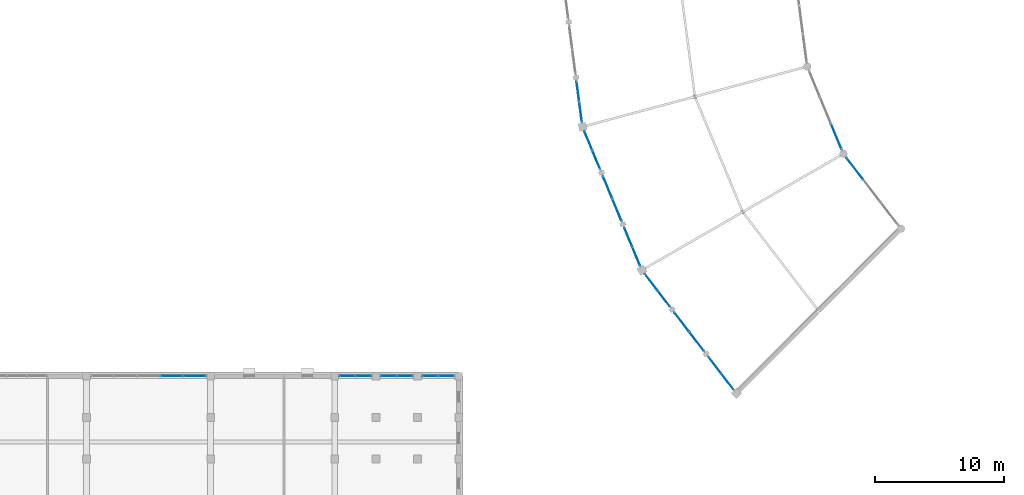
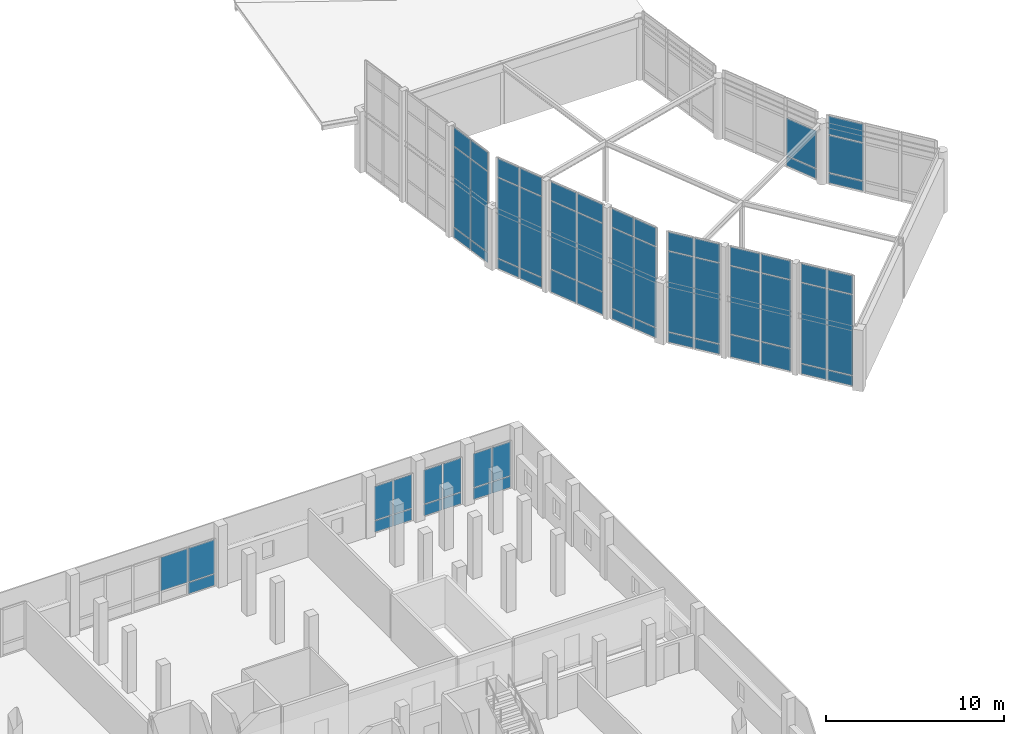
# One storey, part 68 of 93: 62 plates, 13 elements without a shape of their own.
"""IFC4 building model written with IfcOpenShell, lengths in metres."""

from ifc_helpers import new_model, si_unit, direction, frame, origin, origin_2d, place, context, subcontext, project, spatial, rectangle, extrude, material, layer, layer_set, type_object, element, aggregate, save


model = new_model("IFC4")

# Units and contexts
model_context = context("Model", 3, precision=1e-05, world=origin(), true_north=direction((0.0, 1.0)))
body_context = subcontext(model_context, "Body", "Model", "MODEL_VIEW")
ifc_project = project(units=[si_unit("LENGTHUNIT", "METRE"), si_unit("AREAUNIT", "SQUARE_METRE"), si_unit("VOLUMEUNIT", "CUBIC_METRE"), si_unit("PLANEANGLEUNIT", "RADIAN"), si_unit("MASSUNIT", "GRAM", prefix="KILO")], contexts=[model_context])

# Site, building, storey
site_placement = place(None, origin())
site = spatial("IfcSite", under=ifc_project, at=site_placement, CompositionType="ELEMENT")
building_placement = place(site_placement, origin())
building = spatial("IfcBuilding", under=site, at=building_placement, Name="Vondelvale Polytechnic", CompositionType="ELEMENT")
storey_placement = place(building_placement, frame((0.0, 0.0, 18.0)))
storey = spatial("IfcBuildingStorey", under=building, at=storey_placement, Name="L04", CompositionType="ELEMENT", Elevation=18.0)

# Curtain wall, plates
ifc_material_1 = material(Name="Anodised extruded aluminium 6063-T6", Category="aluminium")
curtain_wall_type_1 = type_object("IfcCurtainWallType", Name="CW-STUDIO-NORTH", PredefinedType="NOTDEFINED", material=ifc_material_1)
curtain_wall_1_placement = place(storey_placement, origin())
curtain_wall_1 = element("IfcCurtainWall", 1, at=curtain_wall_1_placement, inside=storey, type_object=curtain_wall_type_1, Name="L04 architectural curtain wall CW-01-039", PredefinedType="NOTDEFINED")
ifc_material_2 = material(Name="Double-glazed low-E insulated architectural glass", Category="glass")
ifc_layer_1 = layer(ifc_material_2, 0.028076171875)
ifc_layer_set_1 = layer_set([ifc_layer_1], Name="CW-PANEL-GLAZED")
plate_type_1 = type_object("IfcPlateType", Name="CW-PANEL-GLAZED", PredefinedType="CURTAIN_PANEL", material=ifc_layer_set_1)
plate_1_placement = place(storey_placement, frame((25.7880859375, 40.800048828125, 0.8798828125), z_axis=(0.0, 0.0, 1.0), x_axis=(1.0, 0.0, 0.0)))
plate_1 = element("IfcPlate", 2, at=plate_1_placement, type_object=plate_type_1, Name="CW-01-039 panel 4.2", PredefinedType="CURTAIN_PANEL", context=body_context, shape_type="SweptSolid", body=[
    extrude(rectangle(XDim=1.722900390625, YDim=0.028076171875, at=origin_2d()), origin(), (0.0, 0.0, 1.0), 2.31005859375),
])
plate_2_placement = place(storey_placement, frame((27.559814453125, 40.800048828125, 0.8798828125), z_axis=(0.0, 0.0, 1.0), x_axis=(1.0, 0.0, 0.0)))
plate_2 = element("IfcPlate", 3, at=plate_2_placement, type_object=plate_type_1, Name="CW-01-039 panel 5.2", PredefinedType="CURTAIN_PANEL", context=body_context, shape_type="SweptSolid", body=[
    extrude(rectangle(XDim=1.6904296875, YDim=0.028076171875, at=origin_2d()), origin(), (0.0, 0.0, 1.0), 2.31005859375),
])

curtain_wall_2_placement = place(storey_placement, origin())
curtain_wall_2 = element("IfcCurtainWall", 4, at=curtain_wall_2_placement, inside=storey, type_object=curtain_wall_type_1, Name="L04 architectural curtain wall CW-01-040", PredefinedType="NOTDEFINED")
plate_3_placement = place(storey_placement, frame((39.38134765625, 40.800048828125, 0.8798828125), z_axis=(0.0, 0.0, 1.0), x_axis=(1.0, 0.0, 0.0)))
plate_3 = element("IfcPlate", 5, at=plate_3_placement, type_object=plate_type_1, Name="CW-01-040 panel 1.2", PredefinedType="CURTAIN_PANEL", context=body_context, shape_type="SweptSolid", body=[
    extrude(rectangle(XDim=1.172607421875, YDim=0.028076171875, at=origin_2d()), origin(), (0.0, 0.0, 1.0), 2.31005859375),
])
plate_4_placement = place(storey_placement, frame((40.61865234375, 40.800048828125, 0.8798828125), z_axis=(0.0, 0.0, 1.0), x_axis=(1.0, 0.0, 0.0)))
plate_4 = element("IfcPlate", 6, at=plate_4_placement, type_object=plate_type_1, Name="CW-01-040 panel 2.2", PredefinedType="CURTAIN_PANEL", context=body_context, shape_type="SweptSolid", body=[
    extrude(rectangle(XDim=1.172607421875, YDim=0.028076171875, at=origin_2d()), origin(), (0.0, 0.0, 1.0), 2.31005859375),
])

curtain_wall_3_placement = place(storey_placement, origin())
curtain_wall_3 = element("IfcCurtainWall", 7, at=curtain_wall_3_placement, inside=storey, type_object=curtain_wall_type_1, Name="L04 architectural curtain wall CW-01-041", PredefinedType="NOTDEFINED")
plate_5_placement = place(storey_placement, frame((42.581298828125, 40.800048828125, 0.8798828125), z_axis=(0.0, 0.0, 1.0), x_axis=(1.0, 0.0, 0.0)))
plate_5 = element("IfcPlate", 8, at=plate_5_placement, type_object=plate_type_1, Name="CW-01-041 panel 1.2", PredefinedType="CURTAIN_PANEL", context=body_context, shape_type="SweptSolid", body=[
    extrude(rectangle(XDim=1.172607421875, YDim=0.028076171875, at=origin_2d()), origin(), (0.0, 0.0, 1.0), 2.31005859375),
])
plate_6_placement = place(storey_placement, frame((43.81884765625, 40.800048828125, 0.8798828125), z_axis=(0.0, 0.0, 1.0), x_axis=(1.0, 0.0, 0.0)))
plate_6 = element("IfcPlate", 9, at=plate_6_placement, type_object=plate_type_1, Name="CW-01-041 panel 2.2", PredefinedType="CURTAIN_PANEL", context=body_context, shape_type="SweptSolid", body=[
    extrude(rectangle(XDim=1.172607421875, YDim=0.028076171875, at=origin_2d()), origin(), (0.0, 0.0, 1.0), 2.31005859375),
])

curtain_wall_4_placement = place(storey_placement, origin())
curtain_wall_4 = element("IfcCurtainWall", 10, at=curtain_wall_4_placement, inside=storey, type_object=curtain_wall_type_1, Name="L04 architectural curtain wall CW-01-042", PredefinedType="NOTDEFINED")
plate_7_placement = place(storey_placement, frame((45.78125, 40.800048828125, 0.8798828125), z_axis=(0.0, 0.0, 1.0), x_axis=(1.0, 0.0, 0.0)))
plate_7 = element("IfcPlate", 11, at=plate_7_placement, type_object=plate_type_1, Name="CW-01-042 panel 1.2", PredefinedType="CURTAIN_PANEL", context=body_context, shape_type="SweptSolid", body=[
    extrude(rectangle(XDim=1.172607421875, YDim=0.028076171875, at=origin_2d()), origin(), (0.0, 0.0, 1.0), 2.31005859375),
])
plate_8_placement = place(storey_placement, frame((47.018798828125, 40.800048828125, 0.8798828125), z_axis=(0.0, 0.0, 1.0), x_axis=(1.0, 0.0, 0.0)))
plate_8 = element("IfcPlate", 12, at=plate_8_placement, type_object=plate_type_1, Name="CW-01-042 panel 2.2", PredefinedType="CURTAIN_PANEL", context=body_context, shape_type="SweptSolid", body=[
    extrude(rectangle(XDim=1.172607421875, YDim=0.028076171875, at=origin_2d()), origin(), (0.0, 0.0, 1.0), 2.31005859375),
])

ifc_material_3 = material(Name="Glulam GL18 structural Tasmanian oak (fb = 42 MPa)", Category="wood")
curtain_wall_type_2 = type_object("IfcCurtainWallType", Name="CW-RING-OUTER", PredefinedType="NOTDEFINED", material=ifc_material_3)
curtain_wall_5_placement = place(storey_placement, origin())
curtain_wall_5 = element("IfcCurtainWall", 13, at=curtain_wall_5_placement, inside=storey, type_object=curtain_wall_type_2, Name="L04 architectural curtain wall CW-04-274", PredefinedType="NOTDEFINED")
plate_9_placement = place(storey_placement, frame((57.20751953125, 62.828369140625, 0.780029296875), z_axis=(0.0, 0.0, 1.0), x_axis=(0.130539547729, -0.991443102996, 0.0)))
plate_9 = element("IfcPlate", 14, at=plate_9_placement, type_object=plate_type_1, Name="CW-04-274 panel 1.2", PredefinedType="CURTAIN_PANEL", context=body_context, shape_type="SweptSolid", body=[
    extrude(rectangle(XDim=1.530029296875, YDim=0.028076171875, at=origin_2d()), origin(), (0.0, 0.0, 1.0), 5.50146484375),
])
plate_10_placement = place(storey_placement, frame((57.20751953125, 62.828369140625, 6.34130859375), z_axis=(0.0, 0.0, 1.0), x_axis=(0.130539547729, -0.991443102996, 0.0)))
plate_10 = element("IfcPlate", 15, at=plate_10_placement, type_object=plate_type_1, Name="CW-04-274 panel 1.3", PredefinedType="CURTAIN_PANEL", context=body_context, shape_type="SweptSolid", body=[
    extrude(rectangle(XDim=1.530029296875, YDim=0.028076171875, at=origin_2d()), origin(), (0.0, 0.0, 1.0), 1.260009765625),
])
plate_11_placement = place(storey_placement, frame((57.415771484375, 61.2470703125, 0.780029296875), z_axis=(0.0, 0.0, 1.0), x_axis=(0.130539547729, -0.991443102996, 0.0)))
plate_11 = element("IfcPlate", 16, at=plate_11_placement, type_object=plate_type_1, Name="CW-04-274 panel 2.2", PredefinedType="CURTAIN_PANEL", context=body_context, shape_type="SweptSolid", body=[
    extrude(rectangle(XDim=1.530029296875, YDim=0.028076171875, at=origin_2d()), origin(), (0.0, 0.0, 1.0), 5.50146484375),
])
plate_12_placement = place(storey_placement, frame((57.415771484375, 61.2470703125, 6.34130859375), z_axis=(0.0, 0.0, 1.0), x_axis=(0.130539547729, -0.991443102996, 0.0)))
plate_12 = element("IfcPlate", 17, at=plate_12_placement, type_object=plate_type_1, Name="CW-04-274 panel 2.3", PredefinedType="CURTAIN_PANEL", context=body_context, shape_type="SweptSolid", body=[
    extrude(rectangle(XDim=1.530029296875, YDim=0.028076171875, at=origin_2d()), origin(), (0.0, 0.0, 1.0), 1.260009765625),
])

# Curtain wall, plate
curtain_wall_type_3 = type_object("IfcCurtainWallType", Name="CW-RING-CLOISTER", PredefinedType="NOTDEFINED", material=ifc_material_1)
curtain_wall_6_placement = place(storey_placement, origin())
curtain_wall_6 = element("IfcCurtainWall", 18, at=curtain_wall_6_placement, inside=storey, type_object=curtain_wall_type_3, Name="L04 architectural curtain wall CW-03-291", PredefinedType="NOTDEFINED")
plate_13_placement = place(storey_placement, frame((77.194091796875, 59.344970703125, 0.78271484375), z_axis=(0.0, 0.0, 1.0), x_axis=(0.382678531697, -0.923881562419, 0.0)))
plate_13 = element("IfcPlate", 19, at=plate_13_placement, type_object=plate_type_1, Name="CW-03-291 panel 3.2", PredefinedType="CURTAIN_PANEL", context=body_context, shape_type="SweptSolid", body=[
    extrude(rectangle(XDim=2.111572265625, YDim=0.028076171875, at=origin_2d()), origin(), (0.0, 0.0, 1.0), 2.548095703125),
])

# Curtain wall, plates
curtain_wall_7_placement = place(storey_placement, origin())
curtain_wall_7 = element("IfcCurtainWall", 20, at=curtain_wall_7_placement, inside=storey, type_object=curtain_wall_type_2, Name="L04 architectural curtain wall CW-04-292", PredefinedType="NOTDEFINED")
plate_14_placement = place(storey_placement, frame((58.01220703125, 59.02001953125, 0.780029296875), z_axis=(0.0, 0.0, 1.0), x_axis=(0.382677394529, -0.923882033442, 0.0)))
plate_14 = element("IfcPlate", 21, at=plate_14_placement, type_object=plate_type_1, Name="CW-04-292 panel 1.2", PredefinedType="CURTAIN_PANEL", context=body_context, shape_type="SweptSolid", body=[
    extrude(rectangle(XDim=1.530029296875, YDim=0.028076171875, at=origin_2d()), origin(), (0.0, 0.0, 1.0), 5.50146484375),
])
plate_15_placement = place(storey_placement, frame((58.01220703125, 59.02001953125, 6.34130859375), z_axis=(0.0, 0.0, 1.0), x_axis=(0.382677394529, -0.923882033442, 0.0)))
plate_15 = element("IfcPlate", 22, at=plate_15_placement, type_object=plate_type_1, Name="CW-04-292 panel 1.3", PredefinedType="CURTAIN_PANEL", context=body_context, shape_type="SweptSolid", body=[
    extrude(rectangle(XDim=1.530029296875, YDim=0.028076171875, at=origin_2d()), origin(), (0.0, 0.0, 1.0), 1.260009765625),
])
plate_16_placement = place(storey_placement, frame((58.622802734375, 57.546630859375, 0.780029296875), z_axis=(0.0, 0.0, 1.0), x_axis=(0.382677394529, -0.923882033442, 0.0)))
plate_16 = element("IfcPlate", 23, at=plate_16_placement, type_object=plate_type_1, Name="CW-04-292 panel 2.2", PredefinedType="CURTAIN_PANEL", context=body_context, shape_type="SweptSolid", body=[
    extrude(rectangle(XDim=1.530029296875, YDim=0.028076171875, at=origin_2d()), origin(), (0.0, 0.0, 1.0), 5.50146484375),
])
plate_17_placement = place(storey_placement, frame((58.622802734375, 57.546630859375, 6.34130859375), z_axis=(0.0, 0.0, 1.0), x_axis=(0.382677394529, -0.923882033442, 0.0)))
plate_17 = element("IfcPlate", 24, at=plate_17_placement, type_object=plate_type_1, Name="CW-04-292 panel 2.3", PredefinedType="CURTAIN_PANEL", context=body_context, shape_type="SweptSolid", body=[
    extrude(rectangle(XDim=1.530029296875, YDim=0.028076171875, at=origin_2d()), origin(), (0.0, 0.0, 1.0), 1.260009765625),
])

curtain_wall_8_placement = place(storey_placement, origin())
curtain_wall_8 = element("IfcCurtainWall", 25, at=curtain_wall_8_placement, inside=storey, type_object=curtain_wall_type_2, Name="L04 architectural curtain wall CW-04-293", PredefinedType="NOTDEFINED")
plate_18_placement = place(storey_placement, frame((59.506591796875, 55.412841796875, 1.630126953125), z_axis=(0.0, 0.0, 1.0), x_axis=(0.382694599123, -0.92387490701, 0.0)))
plate_18 = element("IfcPlate", 26, at=plate_18_placement, type_object=plate_type_1, Name="CW-04-293 panel 1.2", PredefinedType="CURTAIN_PANEL", context=body_context, shape_type="SweptSolid", body=[
    extrude(rectangle(XDim=1.80908203125, YDim=0.028076171875, at=origin_2d()), origin(), (0.0, 0.0, 1.0), 4.6513671875),
])
plate_19_placement = place(storey_placement, frame((59.506591796875, 55.412841796875, 6.34130859375), z_axis=(0.0, 0.0, 1.0), x_axis=(0.382694599123, -0.92387490701, 0.0)))
plate_19 = element("IfcPlate", 27, at=plate_19_placement, type_object=plate_type_1, Name="CW-04-293 panel 1.3", PredefinedType="CURTAIN_PANEL", context=body_context, shape_type="SweptSolid", body=[
    extrude(rectangle(XDim=1.80908203125, YDim=0.028076171875, at=origin_2d()), origin(), (0.0, 0.0, 1.0), 1.260009765625),
])
plate_20_placement = place(storey_placement, frame((60.2236328125, 53.681396484375, 1.630126953125), z_axis=(0.0, 0.0, 1.0), x_axis=(0.382694599123, -0.92387490701, 0.0)))
plate_20 = element("IfcPlate", 28, at=plate_20_placement, type_object=plate_type_1, Name="CW-04-293 panel 2.2", PredefinedType="CURTAIN_PANEL", context=body_context, shape_type="SweptSolid", body=[
    extrude(rectangle(XDim=1.80908203125, YDim=0.028076171875, at=origin_2d()), origin(), (0.0, 0.0, 1.0), 4.6513671875),
])
plate_21_placement = place(storey_placement, frame((60.2236328125, 53.681396484375, 6.34130859375), z_axis=(0.0, 0.0, 1.0), x_axis=(0.382694599123, -0.92387490701, 0.0)))
plate_21 = element("IfcPlate", 29, at=plate_21_placement, type_object=plate_type_1, Name="CW-04-293 panel 2.3", PredefinedType="CURTAIN_PANEL", context=body_context, shape_type="SweptSolid", body=[
    extrude(rectangle(XDim=1.80908203125, YDim=0.028076171875, at=origin_2d()), origin(), (0.0, 0.0, 1.0), 1.260009765625),
])

curtain_wall_9_placement = place(storey_placement, origin())
curtain_wall_9 = element("IfcCurtainWall", 30, at=curtain_wall_9_placement, inside=storey, type_object=curtain_wall_type_2, Name="L04 architectural curtain wall CW-04-294", PredefinedType="NOTDEFINED")
plate_22_placement = place(storey_placement, frame((61.107421875, 51.5478515625, 0.780029296875), z_axis=(0.0, 0.0, 1.0), x_axis=(0.382677394529, -0.923882033442, 0.0)))
plate_22 = element("IfcPlate", 31, at=plate_22_placement, type_object=plate_type_1, Name="CW-04-294 panel 1.2", PredefinedType="CURTAIN_PANEL", context=body_context, shape_type="SweptSolid", body=[
    extrude(rectangle(XDim=1.530029296875, YDim=0.028076171875, at=origin_2d()), origin(), (0.0, 0.0, 1.0), 5.50146484375),
])
plate_23_placement = place(storey_placement, frame((61.107421875, 51.5478515625, 6.34130859375), z_axis=(0.0, 0.0, 1.0), x_axis=(0.382677394529, -0.923882033442, 0.0)))
plate_23 = element("IfcPlate", 32, at=plate_23_placement, type_object=plate_type_1, Name="CW-04-294 panel 1.3", PredefinedType="CURTAIN_PANEL", context=body_context, shape_type="SweptSolid", body=[
    extrude(rectangle(XDim=1.530029296875, YDim=0.028076171875, at=origin_2d()), origin(), (0.0, 0.0, 1.0), 1.260009765625),
])
plate_24_placement = place(storey_placement, frame((61.7177734375, 50.07421875, 0.780029296875), z_axis=(0.0, 0.0, 1.0), x_axis=(0.382677394529, -0.923882033442, 0.0)))
plate_24 = element("IfcPlate", 33, at=plate_24_placement, type_object=plate_type_1, Name="CW-04-294 panel 2.2", PredefinedType="CURTAIN_PANEL", context=body_context, shape_type="SweptSolid", body=[
    extrude(rectangle(XDim=1.530029296875, YDim=0.028076171875, at=origin_2d()), origin(), (0.0, 0.0, 1.0), 5.50146484375),
])
plate_25_placement = place(storey_placement, frame((61.7177734375, 50.07421875, 6.34130859375), z_axis=(0.0, 0.0, 1.0), x_axis=(0.382677394529, -0.923882033442, 0.0)))
plate_25 = element("IfcPlate", 34, at=plate_25_placement, type_object=plate_type_1, Name="CW-04-294 panel 2.3", PredefinedType="CURTAIN_PANEL", context=body_context, shape_type="SweptSolid", body=[
    extrude(rectangle(XDim=1.530029296875, YDim=0.028076171875, at=origin_2d()), origin(), (0.0, 0.0, 1.0), 1.260009765625),
])

curtain_wall_10_placement = place(storey_placement, origin())
curtain_wall_10 = element("IfcCurtainWall", 35, at=curtain_wall_10_placement, inside=storey, type_object=curtain_wall_type_3, Name="L04 architectural curtain wall CW-03-310", PredefinedType="NOTDEFINED")
plate_26_placement = place(storey_placement, frame((78.636962890625, 56.845703125, 0.78271484375), z_axis=(0.0, 0.0, 1.0), x_axis=(0.608747717793, -0.793363861089, 0.0)))
plate_26 = element("IfcPlate", 36, at=plate_26_placement, type_object=plate_type_1, Name="CW-03-310 panel 1.2", PredefinedType="CURTAIN_PANEL", context=body_context, shape_type="SweptSolid", body=[
    extrude(rectangle(XDim=2.1123046875, YDim=0.028076171875, at=origin_2d()), origin(), (0.0, 0.0, 1.0), 2.548095703125),
])
plate_27_placement = place(storey_placement, frame((78.636962890625, 56.845703125, 3.395751953125), z_axis=(0.0, 0.0, 1.0), x_axis=(0.608747717793, -0.793363861089, 0.0)))
plate_27 = element("IfcPlate", 37, at=plate_27_placement, type_object=plate_type_1, Name="CW-03-310 panel 1.3", PredefinedType="CURTAIN_PANEL", context=body_context, shape_type="SweptSolid", body=[
    extrude(rectangle(XDim=2.1123046875, YDim=0.028076171875, at=origin_2d()), origin(), (0.0, 0.0, 1.0), 1.25244140625),
])

curtain_wall_11_placement = place(storey_placement, origin())
curtain_wall_11 = element("IfcCurtainWall", 38, at=curtain_wall_11_placement, inside=storey, type_object=curtain_wall_type_2, Name="L04 architectural curtain wall CW-04-311", PredefinedType="NOTDEFINED")
plate_28_placement = place(storey_placement, frame((62.87060546875, 48.07763671875, 0.780029296875), z_axis=(0.0, 0.0, 1.0), x_axis=(0.608786860133, -0.793333825656, 0.0)))
plate_28 = element("IfcPlate", 39, at=plate_28_placement, type_object=plate_type_1, Name="CW-04-311 panel 1.2", PredefinedType="CURTAIN_PANEL", context=body_context, shape_type="SweptSolid", body=[
    extrude(rectangle(XDim=1.530029296875, YDim=0.028076171875, at=origin_2d()), origin(), (0.0, 0.0, 1.0), 5.50146484375),
])
plate_29_placement = place(storey_placement, frame((62.87060546875, 48.07763671875, 6.34130859375), z_axis=(0.0, 0.0, 1.0), x_axis=(0.608786860133, -0.793333825656, 0.0)))
plate_29 = element("IfcPlate", 40, at=plate_29_placement, type_object=plate_type_1, Name="CW-04-311 panel 1.3", PredefinedType="CURTAIN_PANEL", context=body_context, shape_type="SweptSolid", body=[
    extrude(rectangle(XDim=1.530029296875, YDim=0.028076171875, at=origin_2d()), origin(), (0.0, 0.0, 1.0), 1.260009765625),
])
plate_30_placement = place(storey_placement, frame((63.841552734375, 46.812255859375, 0.780029296875), z_axis=(0.0, 0.0, 1.0), x_axis=(0.608786860133, -0.793333825656, 0.0)))
plate_30 = element("IfcPlate", 41, at=plate_30_placement, type_object=plate_type_1, Name="CW-04-311 panel 2.2", PredefinedType="CURTAIN_PANEL", context=body_context, shape_type="SweptSolid", body=[
    extrude(rectangle(XDim=1.530029296875, YDim=0.028076171875, at=origin_2d()), origin(), (0.0, 0.0, 1.0), 5.50146484375),
])
plate_31_placement = place(storey_placement, frame((63.841552734375, 46.812255859375, 6.34130859375), z_axis=(0.0, 0.0, 1.0), x_axis=(0.608786860133, -0.793333825656, 0.0)))
plate_31 = element("IfcPlate", 42, at=plate_31_placement, type_object=plate_type_1, Name="CW-04-311 panel 2.3", PredefinedType="CURTAIN_PANEL", context=body_context, shape_type="SweptSolid", body=[
    extrude(rectangle(XDim=1.530029296875, YDim=0.028076171875, at=origin_2d()), origin(), (0.0, 0.0, 1.0), 1.260009765625),
])

curtain_wall_12_placement = place(storey_placement, origin())
curtain_wall_12 = element("IfcCurtainWall", 43, at=curtain_wall_12_placement, inside=storey, type_object=curtain_wall_type_2, Name="L04 architectural curtain wall CW-04-312", PredefinedType="NOTDEFINED")
plate_32_placement = place(storey_placement, frame((65.24755859375, 44.97998046875, 1.630126953125), z_axis=(0.0, 0.0, 1.0), x_axis=(0.608771189063, -0.793345851043, 0.0)))
plate_32 = element("IfcPlate", 44, at=plate_32_placement, type_object=plate_type_1, Name="CW-04-312 panel 1.2", PredefinedType="CURTAIN_PANEL", context=body_context, shape_type="SweptSolid", body=[
    extrude(rectangle(XDim=1.80908203125, YDim=0.028076171875, at=origin_2d()), origin(), (0.0, 0.0, 1.0), 4.6513671875),
])
plate_33_placement = place(storey_placement, frame((65.24755859375, 44.97998046875, 6.34130859375), z_axis=(0.0, 0.0, 1.0), x_axis=(0.608771189063, -0.793345851043, 0.0)))
plate_33 = element("IfcPlate", 45, at=plate_33_placement, type_object=plate_type_1, Name="CW-04-312 panel 1.3", PredefinedType="CURTAIN_PANEL", context=body_context, shape_type="SweptSolid", body=[
    extrude(rectangle(XDim=1.80908203125, YDim=0.028076171875, at=origin_2d()), origin(), (0.0, 0.0, 1.0), 1.260009765625),
])
plate_34_placement = place(storey_placement, frame((66.388427734375, 43.4931640625, 1.630126953125), z_axis=(0.0, 0.0, 1.0), x_axis=(0.608771189063, -0.793345851043, 0.0)))
plate_34 = element("IfcPlate", 46, at=plate_34_placement, type_object=plate_type_1, Name="CW-04-312 panel 2.2", PredefinedType="CURTAIN_PANEL", context=body_context, shape_type="SweptSolid", body=[
    extrude(rectangle(XDim=1.80908203125, YDim=0.028076171875, at=origin_2d()), origin(), (0.0, 0.0, 1.0), 4.6513671875),
])
plate_35_placement = place(storey_placement, frame((66.388427734375, 43.4931640625, 6.34130859375), z_axis=(0.0, 0.0, 1.0), x_axis=(0.608771189063, -0.793345851043, 0.0)))
plate_35 = element("IfcPlate", 47, at=plate_35_placement, type_object=plate_type_1, Name="CW-04-312 panel 2.3", PredefinedType="CURTAIN_PANEL", context=body_context, shape_type="SweptSolid", body=[
    extrude(rectangle(XDim=1.80908203125, YDim=0.028076171875, at=origin_2d()), origin(), (0.0, 0.0, 1.0), 1.260009765625),
])

curtain_wall_13_placement = place(storey_placement, origin())
curtain_wall_13 = element("IfcCurtainWall", 48, at=curtain_wall_13_placement, inside=storey, type_object=curtain_wall_type_2, Name="L04 architectural curtain wall CW-04-313", PredefinedType="NOTDEFINED")
plate_36_placement = place(storey_placement, frame((67.794189453125, 41.660888671875, 0.780029296875), z_axis=(0.0, 0.0, 1.0), x_axis=(0.608786860133, -0.793333825656, 0.0)))
plate_36 = element("IfcPlate", 49, at=plate_36_placement, type_object=plate_type_1, Name="CW-04-313 panel 1.2", PredefinedType="CURTAIN_PANEL", context=body_context, shape_type="SweptSolid", body=[
    extrude(rectangle(XDim=1.530029296875, YDim=0.028076171875, at=origin_2d()), origin(), (0.0, 0.0, 1.0), 5.50146484375),
])
plate_37_placement = place(storey_placement, frame((67.794189453125, 41.660888671875, 6.34130859375), z_axis=(0.0, 0.0, 1.0), x_axis=(0.608786860133, -0.793333825656, 0.0)))
plate_37 = element("IfcPlate", 50, at=plate_37_placement, type_object=plate_type_1, Name="CW-04-313 panel 1.3", PredefinedType="CURTAIN_PANEL", context=body_context, shape_type="SweptSolid", body=[
    extrude(rectangle(XDim=1.530029296875, YDim=0.028076171875, at=origin_2d()), origin(), (0.0, 0.0, 1.0), 1.260009765625),
])
plate_38_placement = place(storey_placement, frame((68.765380859375, 40.3955078125, 0.780029296875), z_axis=(0.0, 0.0, 1.0), x_axis=(0.608786860133, -0.793333825656, 0.0)))
plate_38 = element("IfcPlate", 51, at=plate_38_placement, type_object=plate_type_1, Name="CW-04-313 panel 2.2", PredefinedType="CURTAIN_PANEL", context=body_context, shape_type="SweptSolid", body=[
    extrude(rectangle(XDim=1.530029296875, YDim=0.028076171875, at=origin_2d()), origin(), (0.0, 0.0, 1.0), 5.50146484375),
])
plate_39_placement = place(storey_placement, frame((68.765380859375, 40.3955078125, 6.34130859375), z_axis=(0.0, 0.0, 1.0), x_axis=(0.608786860133, -0.793333825656, 0.0)))
plate_39 = element("IfcPlate", 52, at=plate_39_placement, type_object=plate_type_1, Name="CW-04-313 panel 2.3", PredefinedType="CURTAIN_PANEL", context=body_context, shape_type="SweptSolid", body=[
    extrude(rectangle(XDim=1.530029296875, YDim=0.028076171875, at=origin_2d()), origin(), (0.0, 0.0, 1.0), 1.260009765625),
])

# Plate
ifc_material_4 = material(Name="Engineered Tasmanian oak studio and bridge joinery")
ifc_layer_2 = layer(ifc_material_4, 0.0419921875)
ifc_layer_set_2 = layer_set([ifc_layer_2], Name="CW-PANEL-OAK")
plate_type_2 = type_object("IfcPlateType", Name="CW-PANEL-OAK", PredefinedType="CURTAIN_PANEL", material=ifc_layer_set_2)
plate_40_placement = place(storey_placement, frame((77.194091796875, 59.344970703125, 0.06494140625), z_axis=(0.0, 0.0, 1.0), x_axis=(0.382678531697, -0.923881562419, 0.0)))
plate_40 = element("IfcPlate", 53, at=plate_40_placement, type_object=plate_type_2, Name="CW-03-291 panel 3.1", PredefinedType="CURTAIN_PANEL", context=body_context, shape_type="SweptSolid", body=[
    extrude(rectangle(XDim=2.111572265625, YDim=0.0419921875, at=origin_2d()), origin(), (0.0, 0.0, 1.0), 0.652587890625),
])

aggregate(curtain_wall_6, [plate_40, plate_13])

plate_41_placement = place(storey_placement, frame((59.506591796875, 55.412841796875, 0.06005859375), z_axis=(0.0, 0.0, 1.0), x_axis=(0.382694599123, -0.92387490701, 0.0)))
plate_41 = element("IfcPlate", 54, at=plate_41_placement, type_object=plate_type_2, Name="CW-04-293 panel 1.1", PredefinedType="CURTAIN_PANEL", context=body_context, shape_type="SweptSolid", body=[
    extrude(rectangle(XDim=1.80908203125, YDim=0.0419921875, at=origin_2d()), origin(), (0.0, 0.0, 1.0), 1.510009765625),
])

plate_42_placement = place(storey_placement, frame((60.2236328125, 53.681396484375, 0.06005859375), z_axis=(0.0, 0.0, 1.0), x_axis=(0.382694599123, -0.92387490701, 0.0)))
plate_42 = element("IfcPlate", 55, at=plate_42_placement, type_object=plate_type_2, Name="CW-04-293 panel 2.1", PredefinedType="CURTAIN_PANEL", context=body_context, shape_type="SweptSolid", body=[
    extrude(rectangle(XDim=1.80908203125, YDim=0.0419921875, at=origin_2d()), origin(), (0.0, 0.0, 1.0), 1.510009765625),
])

aggregate(curtain_wall_8, [plate_41, plate_18, plate_19, plate_42, plate_20, plate_21])

plate_43_placement = place(storey_placement, frame((78.636962890625, 56.845703125, 0.06494140625), z_axis=(0.0, 0.0, 1.0), x_axis=(0.608747717793, -0.793363861089, 0.0)))
plate_43 = element("IfcPlate", 56, at=plate_43_placement, type_object=plate_type_2, Name="CW-03-310 panel 1.1", PredefinedType="CURTAIN_PANEL", context=body_context, shape_type="SweptSolid", body=[
    extrude(rectangle(XDim=2.1123046875, YDim=0.0419921875, at=origin_2d()), origin(), (0.0, 0.0, 1.0), 0.652587890625),
])

aggregate(curtain_wall_10, [plate_43, plate_26, plate_27])

plate_44_placement = place(storey_placement, frame((65.24755859375, 44.97998046875, 0.06005859375), z_axis=(0.0, 0.0, 1.0), x_axis=(0.608771189063, -0.793345851043, 0.0)))
plate_44 = element("IfcPlate", 57, at=plate_44_placement, type_object=plate_type_2, Name="CW-04-312 panel 1.1", PredefinedType="CURTAIN_PANEL", context=body_context, shape_type="SweptSolid", body=[
    extrude(rectangle(XDim=1.80908203125, YDim=0.0419921875, at=origin_2d()), origin(), (0.0, 0.0, 1.0), 1.510009765625),
])

plate_45_placement = place(storey_placement, frame((66.388427734375, 43.4931640625, 0.06005859375), z_axis=(0.0, 0.0, 1.0), x_axis=(0.608771189063, -0.793345851043, 0.0)))
plate_45 = element("IfcPlate", 58, at=plate_45_placement, type_object=plate_type_2, Name="CW-04-312 panel 2.1", PredefinedType="CURTAIN_PANEL", context=body_context, shape_type="SweptSolid", body=[
    extrude(rectangle(XDim=1.80908203125, YDim=0.0419921875, at=origin_2d()), origin(), (0.0, 0.0, 1.0), 1.510009765625),
])

aggregate(curtain_wall_12, [plate_44, plate_32, plate_33, plate_45, plate_34, plate_35])

ifc_material_5 = material(Name="Kiln-fired architectural terracotta", Category="masonry")
ifc_layer_3 = layer(ifc_material_5, 0.035888671875)
ifc_layer_set_3 = layer_set([ifc_layer_3], Name="CW-PANEL-SPANDREL")
plate_type_3 = type_object("IfcPlateType", Name="CW-PANEL-SPANDREL", PredefinedType="CURTAIN_PANEL", material=ifc_layer_set_3)
plate_46_placement = place(storey_placement, frame((27.559814453125, 40.800048828125, 0.06005859375), z_axis=(0.0, 0.0, 1.0), x_axis=(1.0, 0.0, 0.0)))
plate_46 = element("IfcPlate", 59, at=plate_46_placement, type_object=plate_type_3, Name="CW-01-039 panel 5.1", PredefinedType="CURTAIN_PANEL", context=body_context, shape_type="SweptSolid", body=[
    extrude(rectangle(XDim=1.6904296875, YDim=0.035888671875, at=origin_2d()), origin(), (0.0, 0.0, 1.0), 0.760009765625),
])

aggregate(curtain_wall_1, [plate_1, plate_46, plate_2])

plate_47_placement = place(storey_placement, frame((39.38134765625, 40.800048828125, 0.06005859375), z_axis=(0.0, 0.0, 1.0), x_axis=(1.0, 0.0, 0.0)))
plate_47 = element("IfcPlate", 60, at=plate_47_placement, type_object=plate_type_3, Name="CW-01-040 panel 1.1", PredefinedType="CURTAIN_PANEL", context=body_context, shape_type="SweptSolid", body=[
    extrude(rectangle(XDim=1.172607421875, YDim=0.035888671875, at=origin_2d()), origin(), (0.0, 0.0, 1.0), 0.760009765625),
])

plate_48_placement = place(storey_placement, frame((40.61865234375, 40.800048828125, 0.06005859375), z_axis=(0.0, 0.0, 1.0), x_axis=(1.0, 0.0, 0.0)))
plate_48 = element("IfcPlate", 61, at=plate_48_placement, type_object=plate_type_3, Name="CW-01-040 panel 2.1", PredefinedType="CURTAIN_PANEL", context=body_context, shape_type="SweptSolid", body=[
    extrude(rectangle(XDim=1.172607421875, YDim=0.035888671875, at=origin_2d()), origin(), (0.0, 0.0, 1.0), 0.760009765625),
])

aggregate(curtain_wall_2, [plate_47, plate_3, plate_48, plate_4])

plate_49_placement = place(storey_placement, frame((42.581298828125, 40.800048828125, 0.06005859375), z_axis=(0.0, 0.0, 1.0), x_axis=(1.0, 0.0, 0.0)))
plate_49 = element("IfcPlate", 62, at=plate_49_placement, type_object=plate_type_3, Name="CW-01-041 panel 1.1", PredefinedType="CURTAIN_PANEL", context=body_context, shape_type="SweptSolid", body=[
    extrude(rectangle(XDim=1.172607421875, YDim=0.035888671875, at=origin_2d()), origin(), (0.0, 0.0, 1.0), 0.760009765625),
])

plate_50_placement = place(storey_placement, frame((43.81884765625, 40.800048828125, 0.06005859375), z_axis=(0.0, 0.0, 1.0), x_axis=(1.0, 0.0, 0.0)))
plate_50 = element("IfcPlate", 63, at=plate_50_placement, type_object=plate_type_3, Name="CW-01-041 panel 2.1", PredefinedType="CURTAIN_PANEL", context=body_context, shape_type="SweptSolid", body=[
    extrude(rectangle(XDim=1.172607421875, YDim=0.035888671875, at=origin_2d()), origin(), (0.0, 0.0, 1.0), 0.760009765625),
])

aggregate(curtain_wall_3, [plate_49, plate_5, plate_50, plate_6])

plate_51_placement = place(storey_placement, frame((45.78125, 40.800048828125, 0.06005859375), z_axis=(0.0, 0.0, 1.0), x_axis=(1.0, 0.0, 0.0)))
plate_51 = element("IfcPlate", 64, at=plate_51_placement, type_object=plate_type_3, Name="CW-01-042 panel 1.1", PredefinedType="CURTAIN_PANEL", context=body_context, shape_type="SweptSolid", body=[
    extrude(rectangle(XDim=1.172607421875, YDim=0.035888671875, at=origin_2d()), origin(), (0.0, 0.0, 1.0), 0.760009765625),
])

plate_52_placement = place(storey_placement, frame((47.018798828125, 40.800048828125, 0.06005859375), z_axis=(0.0, 0.0, 1.0), x_axis=(1.0, 0.0, 0.0)))
plate_52 = element("IfcPlate", 65, at=plate_52_placement, type_object=plate_type_3, Name="CW-01-042 panel 2.1", PredefinedType="CURTAIN_PANEL", context=body_context, shape_type="SweptSolid", body=[
    extrude(rectangle(XDim=1.172607421875, YDim=0.035888671875, at=origin_2d()), origin(), (0.0, 0.0, 1.0), 0.760009765625),
])

aggregate(curtain_wall_4, [plate_51, plate_7, plate_52, plate_8])

plate_53_placement = place(storey_placement, frame((57.20751953125, 62.828369140625, 0.06005859375), z_axis=(0.0, 0.0, 1.0), x_axis=(0.130539547729, -0.991443102996, 0.0)))
plate_53 = element("IfcPlate", 66, at=plate_53_placement, type_object=plate_type_3, Name="CW-04-274 panel 1.1", PredefinedType="CURTAIN_PANEL", context=body_context, shape_type="SweptSolid", body=[
    extrude(rectangle(XDim=1.530029296875, YDim=0.035888671875, at=origin_2d()), origin(), (0.0, 0.0, 1.0), 0.659912109375),
])

plate_54_placement = place(storey_placement, frame((57.415771484375, 61.2470703125, 0.06005859375), z_axis=(0.0, 0.0, 1.0), x_axis=(0.130539547729, -0.991443102996, 0.0)))
plate_54 = element("IfcPlate", 67, at=plate_54_placement, type_object=plate_type_3, Name="CW-04-274 panel 2.1", PredefinedType="CURTAIN_PANEL", context=body_context, shape_type="SweptSolid", body=[
    extrude(rectangle(XDim=1.530029296875, YDim=0.035888671875, at=origin_2d()), origin(), (0.0, 0.0, 1.0), 0.659912109375),
])

aggregate(curtain_wall_5, [plate_53, plate_9, plate_10, plate_54, plate_11, plate_12])

plate_55_placement = place(storey_placement, frame((58.01220703125, 59.02001953125, 0.06005859375), z_axis=(0.0, 0.0, 1.0), x_axis=(0.382677394529, -0.923882033442, 0.0)))
plate_55 = element("IfcPlate", 68, at=plate_55_placement, type_object=plate_type_3, Name="CW-04-292 panel 1.1", PredefinedType="CURTAIN_PANEL", context=body_context, shape_type="SweptSolid", body=[
    extrude(rectangle(XDim=1.530029296875, YDim=0.035888671875, at=origin_2d()), origin(), (0.0, 0.0, 1.0), 0.659912109375),
])

plate_56_placement = place(storey_placement, frame((58.622802734375, 57.546630859375, 0.06005859375), z_axis=(0.0, 0.0, 1.0), x_axis=(0.382677394529, -0.923882033442, 0.0)))
plate_56 = element("IfcPlate", 69, at=plate_56_placement, type_object=plate_type_3, Name="CW-04-292 panel 2.1", PredefinedType="CURTAIN_PANEL", context=body_context, shape_type="SweptSolid", body=[
    extrude(rectangle(XDim=1.530029296875, YDim=0.035888671875, at=origin_2d()), origin(), (0.0, 0.0, 1.0), 0.659912109375),
])

aggregate(curtain_wall_7, [plate_55, plate_14, plate_15, plate_56, plate_16, plate_17])

plate_57_placement = place(storey_placement, frame((61.107421875, 51.5478515625, 0.06005859375), z_axis=(0.0, 0.0, 1.0), x_axis=(0.382677394529, -0.923882033442, 0.0)))
plate_57 = element("IfcPlate", 70, at=plate_57_placement, type_object=plate_type_3, Name="CW-04-294 panel 1.1", PredefinedType="CURTAIN_PANEL", context=body_context, shape_type="SweptSolid", body=[
    extrude(rectangle(XDim=1.530029296875, YDim=0.035888671875, at=origin_2d()), origin(), (0.0, 0.0, 1.0), 0.659912109375),
])

plate_58_placement = place(storey_placement, frame((61.7177734375, 50.07421875, 0.06005859375), z_axis=(0.0, 0.0, 1.0), x_axis=(0.382677394529, -0.923882033442, 0.0)))
plate_58 = element("IfcPlate", 71, at=plate_58_placement, type_object=plate_type_3, Name="CW-04-294 panel 2.1", PredefinedType="CURTAIN_PANEL", context=body_context, shape_type="SweptSolid", body=[
    extrude(rectangle(XDim=1.530029296875, YDim=0.035888671875, at=origin_2d()), origin(), (0.0, 0.0, 1.0), 0.659912109375),
])

aggregate(curtain_wall_9, [plate_57, plate_22, plate_23, plate_58, plate_24, plate_25])

plate_59_placement = place(storey_placement, frame((62.87060546875, 48.07763671875, 0.06005859375), z_axis=(0.0, 0.0, 1.0), x_axis=(0.608786860133, -0.793333825656, 0.0)))
plate_59 = element("IfcPlate", 72, at=plate_59_placement, type_object=plate_type_3, Name="CW-04-311 panel 1.1", PredefinedType="CURTAIN_PANEL", context=body_context, shape_type="SweptSolid", body=[
    extrude(rectangle(XDim=1.530029296875, YDim=0.035888671875, at=origin_2d()), origin(), (0.0, 0.0, 1.0), 0.659912109375),
])

plate_60_placement = place(storey_placement, frame((63.841552734375, 46.812255859375, 0.06005859375), z_axis=(0.0, 0.0, 1.0), x_axis=(0.608786860133, -0.793333825656, 0.0)))
plate_60 = element("IfcPlate", 73, at=plate_60_placement, type_object=plate_type_3, Name="CW-04-311 panel 2.1", PredefinedType="CURTAIN_PANEL", context=body_context, shape_type="SweptSolid", body=[
    extrude(rectangle(XDim=1.530029296875, YDim=0.035888671875, at=origin_2d()), origin(), (0.0, 0.0, 1.0), 0.659912109375),
])

aggregate(curtain_wall_11, [plate_59, plate_28, plate_29, plate_60, plate_30, plate_31])

plate_61_placement = place(storey_placement, frame((67.794189453125, 41.660888671875, 0.06005859375), z_axis=(0.0, 0.0, 1.0), x_axis=(0.608786860133, -0.793333825656, 0.0)))
plate_61 = element("IfcPlate", 74, at=plate_61_placement, type_object=plate_type_3, Name="CW-04-313 panel 1.1", PredefinedType="CURTAIN_PANEL", context=body_context, shape_type="SweptSolid", body=[
    extrude(rectangle(XDim=1.530029296875, YDim=0.035888671875, at=origin_2d()), origin(), (0.0, 0.0, 1.0), 0.659912109375),
])

plate_62_placement = place(storey_placement, frame((68.765380859375, 40.3955078125, 0.06005859375), z_axis=(0.0, 0.0, 1.0), x_axis=(0.608786860133, -0.793333825656, 0.0)))
plate_62 = element("IfcPlate", 75, at=plate_62_placement, type_object=plate_type_3, Name="CW-04-313 panel 2.1", PredefinedType="CURTAIN_PANEL", context=body_context, shape_type="SweptSolid", body=[
    extrude(rectangle(XDim=1.530029296875, YDim=0.035888671875, at=origin_2d()), origin(), (0.0, 0.0, 1.0), 0.659912109375),
])

aggregate(curtain_wall_13, [plate_61, plate_36, plate_37, plate_62, plate_38, plate_39])

save(model, "model.ifc")
